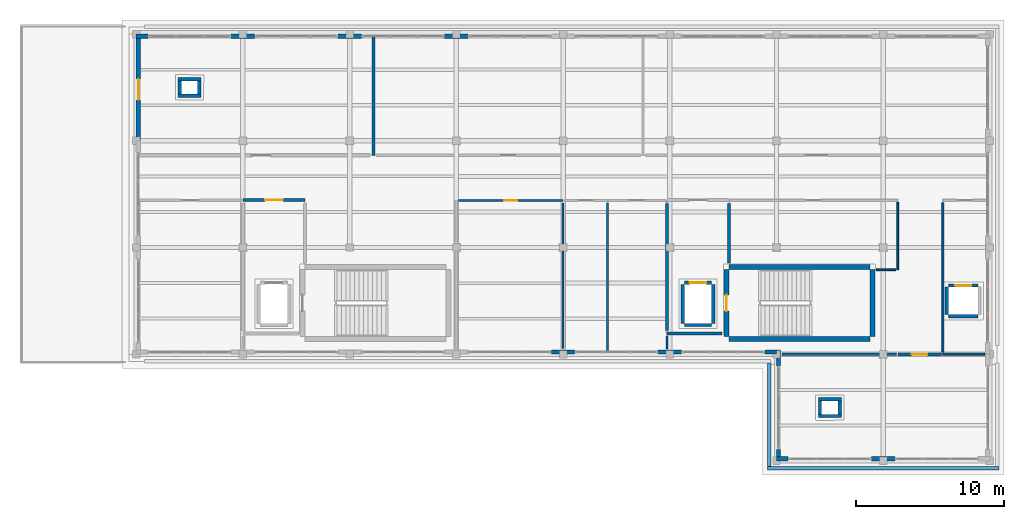
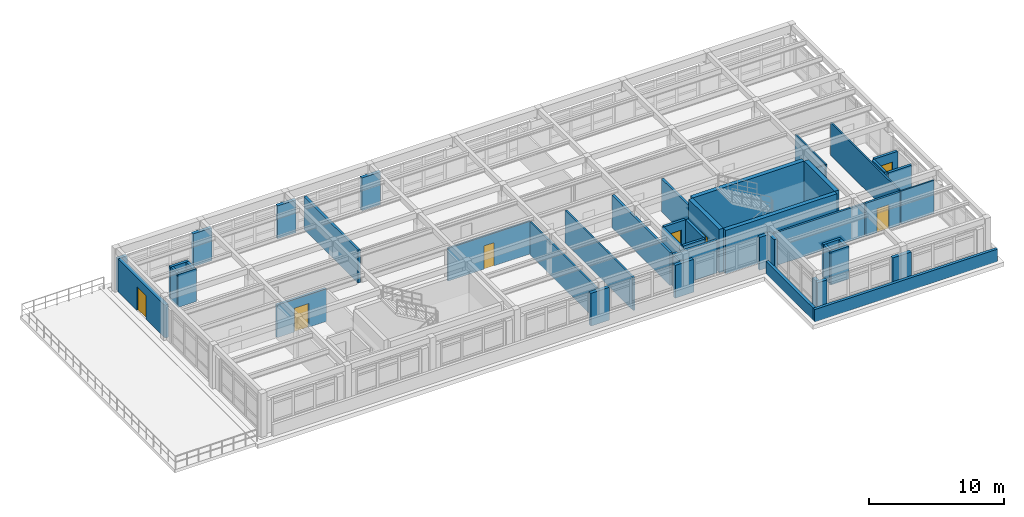
# One storey, part 14 of 18: 48 walls, 7 doors, 7 openings.
"""IFC4 building model written with IfcOpenShell, lengths in metres."""

from ifc_helpers import new_model, si_unit, direction, frame, frame_2d, origin, place, context, subcontext, project, spatial, rectangle, extrude, material, layer, layer_set, type_object, element, fill, save


model = new_model("IFC4")

# Units and contexts
model_context = context("Model", 3, precision=1e-05, world=origin(), true_north=direction((0.0, 1.0)))
body_context = subcontext(model_context, "Body", "Model", "MODEL_VIEW")
ifc_project = project(units=[si_unit("LENGTHUNIT", "METRE"), si_unit("AREAUNIT", "SQUARE_METRE"), si_unit("VOLUMEUNIT", "CUBIC_METRE"), si_unit("PLANEANGLEUNIT", "RADIAN"), si_unit("MASSUNIT", "GRAM", prefix="KILO")], contexts=[model_context])

# Site, building, storey
site_placement = place(None, origin())
site = spatial("IfcSite", under=ifc_project, at=site_placement, CompositionType="ELEMENT")
building_placement = place(site_placement, origin())
building = spatial("IfcBuilding", under=site, at=building_placement, Name="Solenvale Faculty of Natural Sciences", CompositionType="ELEMENT")
storey_placement = place(building_placement, frame((0.0, 0.0, 39.60009765625)))
storey = spatial("IfcBuildingStorey", under=building, at=storey_placement, Name="L09", CompositionType="ELEMENT", Elevation=39.60009765625)

# Walls
ifc_material_1 = material(Name="Precast concrete 40 MPa", Category="concrete")
ifc_layer_1 = layer(ifc_material_1, 0.284912109375)
ifc_layer_set_1 = layer_set([ifc_layer_1], Name="Precast concrete 40 MPa")
wall_type_1 = type_object("IfcWallType", Name="WL-EXT-PRC-285", PredefinedType="STANDARD", material=ifc_layer_set_1)
wall_1_placement = place(storey_placement, frame((115.988037109375, 115.0576171875, 0.0), z_axis=(0.0, 0.0, 1.0), x_axis=(-1.0, 0.0, 0.0)))
element("IfcWall", 1, at=wall_1_placement, inside=storey, type_object=wall_type_1, Name="L09 Facade Closure Pier 2.B5-R", PredefinedType="STANDARD", context=body_context, shape_type="SweptSolid", body=[
    extrude(rectangle(XDim=1.575927734375, YDim=0.284912109375, at=frame_2d((0.7880859375, 0.0))), origin(), (0.0, 0.0, 1.0), 2.9599609375),
])
wall_2_placement = place(storey_placement, frame((108.7880859375, 115.0576171875, 0.0), z_axis=(0.0, 0.0, 1.0), x_axis=(-1.0, 0.0, 0.0)))
element("IfcWall", 2, at=wall_2_placement, inside=storey, type_object=wall_type_1, Name="L09 Facade Closure Pier 2.B6-R", PredefinedType="STANDARD", context=body_context, shape_type="SweptSolid", body=[
    extrude(rectangle(XDim=1.576171875, YDim=0.284912109375, at=frame_2d((0.7880859375, 0.0))), origin(), (0.0, 0.0, 1.0), 2.9599609375),
])
wall_3_placement = place(storey_placement, frame((101.587890625, 115.0576171875, 0.0), z_axis=(0.0, 0.0, 1.0), x_axis=(-1.0, 0.0, 0.0)))
element("IfcWall", 3, at=wall_3_placement, inside=storey, type_object=wall_type_1, Name="L09 Facade Closure Pier 2.B7-R", PredefinedType="STANDARD", context=body_context, shape_type="SweptSolid", body=[
    extrude(rectangle(XDim=1.575927734375, YDim=0.284912109375, at=frame_2d((0.7880859375, 0.0))), origin(), (0.0, 0.0, 1.0), 2.9599609375),
])
wall_4_placement = place(storey_placement, frame((94.387939453125, 115.0576171875, 0.0), z_axis=(0.0, 0.0, 1.0), x_axis=(-1.0, 0.0, 0.0)))
element("IfcWall", 4, at=wall_4_placement, inside=storey, type_object=wall_type_1, Name="L09 Facade Closure Pier 2.B8-R", PredefinedType="STANDARD", context=body_context, shape_type="SweptSolid", body=[
    extrude(rectangle(XDim=0.787841796875, YDim=0.284912109375, at=frame_2d((0.39404296875, 0.0))), origin(), (0.0, 0.0, 1.0), 2.9599609375),
])
for number, where, z_axis, x_axis, name in (
    (5, (121.612060546875, 93.742431640625, 0.0), (0.0, 0.0, 1.0), (1.0, 0.0, 0.0), "L09 Facade Closure Pier 4.B4-R"),
    (6, (128.81201171875, 93.742431640625, 0.0), (0.0, 0.0, 1.0), (1.0, 0.0, 0.0), "L09 Facade Closure Pier 4.B5-R"),
):
    element("IfcWall", number, at=place(storey_placement, frame(where, z_axis=z_axis, x_axis=x_axis)), inside=storey, type_object=wall_type_1, Name=name, PredefinedType="STANDARD", context=body_context, shape_type="SweptSolid", body=[
        extrude(rectangle(XDim=1.575927734375, YDim=0.284912109375, at=frame_2d((0.7880859375, 0.0))), origin(), (0.0, 0.0, 1.0), 2.9599609375),
    ])
wall_5_placement = place(storey_placement, frame((136.011962890625, 93.742431640625, 0.0), z_axis=(0.0, 0.0, 1.0), x_axis=(1.0, 0.0, 0.0)))
element("IfcWall", 7, at=wall_5_placement, inside=storey, type_object=wall_type_1, Name="L09 Facade Closure Pier 4.B6-R", PredefinedType="STANDARD", context=body_context, shape_type="SweptSolid", body=[
    extrude(rectangle(XDim=0.7880859375, YDim=0.284912109375, at=frame_2d((0.39404296875, 0.0))), origin(), (0.0, 0.0, 1.0), 2.9599609375),
])
wall_6_placement = place(storey_placement, frame((136.9423828125, 93.885009765625, 0.0), z_axis=(0.0, 0.0, 1.0), x_axis=(0.0, -1.0, 0.0)))
element("IfcWall", 8, at=wall_6_placement, inside=storey, type_object=wall_type_1, Name="L09 Facade Closure Pier 5.B1-L", PredefinedType="STANDARD", context=body_context, shape_type="SweptSolid", body=[
    extrude(rectangle(XDim=1.072998046875, YDim=0.284912109375, at=frame_2d((0.53662109375, 0.0))), origin(), (0.0, 0.0, 1.0), 2.9599609375),
])
wall_7_placement = place(storey_placement, frame((136.9423828125, 87.18798828125, 0.0), z_axis=(0.0, 0.0, 1.0), x_axis=(0.0, -1.0, 0.0)))
element("IfcWall", 9, at=wall_7_placement, inside=storey, type_object=wall_type_1, Name="L09 Facade Closure Pier 5.B1-R", PredefinedType="STANDARD", context=body_context, shape_type="SweptSolid", body=[
    extrude(rectangle(XDim=0.5029296875, YDim=0.284912109375, at=frame_2d((0.25146484375, 0.0))), origin(), (0.0, 0.0, 1.0), 2.9599609375),
])
wall_8_placement = place(storey_placement, frame((136.800048828125, 86.54248046875, 0.0), z_axis=(0.0, 0.0, 1.0), x_axis=(1.0, 0.0, 0.0)))
element("IfcWall", 10, at=wall_8_placement, inside=storey, type_object=wall_type_1, Name="L09 Facade Closure Pier 6.B1-L", PredefinedType="STANDARD", context=body_context, shape_type="SweptSolid", body=[
    extrude(rectangle(XDim=0.787841796875, YDim=0.284912109375, at=frame_2d((0.39404296875, 0.0))), origin(), (0.0, 0.0, 1.0), 2.9599609375),
])
wall_9_placement = place(storey_placement, frame((143.2119140625, 86.54248046875, 0.0), z_axis=(0.0, 0.0, 1.0), x_axis=(1.0, 0.0, 0.0)))
element("IfcWall", 11, at=wall_9_placement, inside=storey, type_object=wall_type_1, Name="L09 Facade Closure Pier 6.B1-R", PredefinedType="STANDARD", context=body_context, shape_type="SweptSolid", body=[
    extrude(rectangle(XDim=1.576171875, YDim=0.284912109375, at=frame_2d((0.7880859375, 0.0))), origin(), (0.0, 0.0, 1.0), 2.9599609375),
])

# Wall, opening, door
ifc_layer_2 = layer(ifc_material_1, 0.304931640625)
ifc_layer_set_2 = layer_set([ifc_layer_2], Name="Precast concrete 40 MPa")
wall_type_2 = type_object("IfcWallType", Name="WL-EXT-PRC-305", PredefinedType="STANDARD", material=ifc_layer_set_2)
wall_10_placement = place(storey_placement, frame((93.75244140625, 108.0, 0.0), z_axis=(0.0, 0.0, 1.0), x_axis=(0.0, 1.0, 0.0)))
wall_10 = element("IfcWall", 12, at=wall_10_placement, inside=storey, type_object=wall_type_2, Name="L09 Exterior Wall 3.1", PredefinedType="STANDARD", context=body_context, shape_type="SweptSolid", body=[
    extrude(rectangle(XDim=6.9150390625, YDim=0.304931640625, at=frame_2d((3.45751953125, 0.0))), origin(), (0.0, 0.0, 1.0), 2.9599609375),
])
opening_1_placement = place(wall_10_placement, frame((2.758056640625, 0.0, 0.0)))
opening_1 = element("IfcOpeningElement", 13, at=opening_1_placement, cuts=wall_10, Name="Opening TD-47", PredefinedType="OPENING", context=body_context, shape_type="SweptSolid", body=[
    extrude(rectangle(XDim=1.39990234375, YDim=2.14990234375, at=frame_2d((0.699951171875, 1.074951171875))), frame((0.0, 0.162353515625, 0.0), z_axis=(0.0, -1.0, 0.0), x_axis=(1.0, 0.0, 0.0)), (0.0, 0.0, 1.0), 0.324951171875),
])
ifc_material_2 = material(Name="Anodised bronze aluminium", Category="aluminium")
door_type_1 = type_object("IfcDoorType", Name="DR-TER-1400x2150", OperationType="NOTDEFINED", PredefinedType="DOOR", material=ifc_material_2)
door_1_placement = place(opening_1_placement, origin())
door_1 = element("IfcDoor", 14, at=door_1_placement, inside=storey, type_object=door_type_1, Name="L09 Exterior Terrace Door TD-47", OperationType="DOUBLE_DOOR_SINGLE_SWING", OverallHeight=2.14990234375, OverallWidth=1.39990234375, PredefinedType="DOOR", context=body_context, shape_type="SweptSolid", body=[
    extrude(rectangle(XDim=1.39990234375, YDim=2.14990234375, at=frame_2d((0.699951171875, 1.074951171875))), frame((0.0, 0.02490234375, 0.0), z_axis=(0.0, -1.0, 0.0), x_axis=(1.0, 0.0, 0.0)), (0.0, 0.0, 1.0), 0.050048828125),
])
fill(opening_1, door_1)

ifc_material_3 = material(Name="Gypsum fire-rated shaftwall")
ifc_layer_3 = layer(ifc_material_3, 0.205078125)
ifc_layer_set_3 = layer_set([ifc_layer_3], Name="Gypsum fire-rated shaftwall")
wall_type_3 = type_object("IfcWallType", Name="WL-FFL-205", PredefinedType="PARTITIONING", material=ifc_layer_set_3)
wall_11_placement = place(storey_placement, frame((100.800048828125, 104.0, 0.0), z_axis=(0.0, 0.0, 1.0), x_axis=(1.0, 0.0, 0.0)))
wall_11 = element("IfcWall", 15, at=wall_11_placement, inside=storey, type_object=wall_type_3, Name="L09 Firefighting Lobby C4 Partition 1", PredefinedType="PARTITIONING", context=body_context, shape_type="SweptSolid", body=[
    extrude(rectangle(XDim=4.199951171875, YDim=0.205078125, at=frame_2d((2.10009765625, 0.0))), origin(), (0.0, 0.0, 1.0), 2.9599609375),
])
opening_2_placement = place(wall_11_placement, frame((1.5, 0.0, 0.0)))
opening_2 = element("IfcOpeningElement", 16, at=opening_2_placement, cuts=wall_11, Name="Opening D-L09-01", PredefinedType="OPENING", context=body_context, shape_type="SweptSolid", body=[
    extrude(rectangle(XDim=1.199951171875, YDim=2.14990234375, at=frame_2d((0.60009765625, 1.074951171875))), frame((0.0, 0.112548828125, 0.0), z_axis=(0.0, -1.0, 0.0), x_axis=(1.0, 0.0, 0.0)), (0.0, 0.0, 1.0), 0.22509765625),
])
ifc_material_4 = material(Name="Galvanised steel S355", Category="steel")
door_type_2 = type_object("IfcDoorType", Name="DR-FFL-1200x2150", OperationType="NOTDEFINED", PredefinedType="DOOR", material=ifc_material_4)
door_2_placement = place(opening_2_placement, origin())
door_2 = element("IfcDoor", 17, at=door_2_placement, inside=storey, type_object=door_type_2, Name="L09 Firefighting Lobby C4 Door", OperationType="SINGLE_SWING_RIGHT", OverallHeight=2.14990234375, OverallWidth=1.199951171875, PredefinedType="DOOR", context=body_context, shape_type="SweptSolid", body=[
    extrude(rectangle(XDim=1.199951171875, YDim=2.14990234375, at=frame_2d((0.60009765625, 1.074951171875))), frame((0.0, 0.02490234375, 0.0), z_axis=(0.0, -1.0, 0.0), x_axis=(1.0, 0.0, 0.0)), (0.0, 0.0, 1.0), 0.050048828125),
])
fill(opening_2, door_2)

# Walls
wall_12_placement = place(storey_placement, frame((133.60009765625, 103.782958984375, 0.0), z_axis=(0.0, 0.0, 1.0), x_axis=(0.0, -1.0, 0.0)))
element("IfcWall", 18, at=wall_12_placement, inside=storey, type_object=wall_type_3, Name="L09 Firefighting Lobby C5 Partition 2", PredefinedType="PARTITIONING", context=body_context, shape_type="SweptSolid", body=[
    extrude(rectangle(XDim=4.01904296875, YDim=0.205078125, at=frame_2d((2.009521484375, 0.0))), origin(), (0.0, 0.0, 1.0), 2.9599609375),
])
wall_13_placement = place(storey_placement, frame((133.135986328125, 95.0, 0.0), z_axis=(0.0, 0.0, 1.0), x_axis=(-1.0, 0.0, 0.0)))
element("IfcWall", 19, at=wall_13_placement, inside=storey, type_object=wall_type_3, Name="L09 Firefighting Lobby C5 Partition 20", PredefinedType="PARTITIONING", context=body_context, shape_type="SweptSolid", body=[
    extrude(rectangle(XDim=3.736083984375, YDim=0.205078125, at=frame_2d((1.8681640625, 0.0))), origin(), (0.0, 0.0, 1.0), 2.9599609375),
])
wall_14_placement = place(storey_placement, frame((129.39990234375, 95.217041015625, 0.0), z_axis=(0.0, 0.0, 1.0), x_axis=(0.0, 1.0, 0.0)))
element("IfcWall", 20, at=wall_14_placement, inside=storey, type_object=wall_type_3, Name="L09 Firefighting Lobby C5 Partition 21", PredefinedType="PARTITIONING", context=body_context, shape_type="SweptSolid", body=[
    extrude(rectangle(XDim=8.56591796875, YDim=0.205078125, at=frame_2d((4.282958984375, 0.0))), origin(), (0.0, 0.0, 1.0), 2.9599609375),
])
ifc_material_5 = material(Name="Gypsum fire-rated laboratory partition")
ifc_layer_4 = layer(ifc_material_5, 0.2119140625)
ifc_layer_set_4 = layer_set([ifc_layer_4], Name="Gypsum fire-rated laboratory partition")
wall_type_4 = type_object("IfcWallType", Name="WL-LAB-212", PredefinedType="PARTITIONING", material=ifc_layer_set_4)
wall_15_placement = place(storey_placement, frame((109.60009765625, 115.01708984375, 0.0), z_axis=(0.0, 0.0, 1.0), x_axis=(0.0, -1.0, 0.0)))
element("IfcWall", 21, at=wall_15_placement, inside=storey, type_object=wall_type_4, Name="L09 Biophysics and Neurobiology Research Laboratory Partition 3", PredefinedType="PARTITIONING", context=body_context, shape_type="SweptSolid", body=[
    extrude(rectangle(XDim=7.9970703125, YDim=0.2119140625, at=frame_2d((3.99853515625, 0.0))), origin(), (0.0, 0.0, 1.0), 2.9599609375),
])
ifc_material_6 = material(Name="Acoustic stud gypsum partition")
ifc_layer_5 = layer(ifc_material_6, 0.125)
ifc_layer_set_5 = layer_set([ifc_layer_5], Name="Acoustic stud gypsum partition")
wall_type_5 = type_object("IfcWallType", Name="WL-OFF-125", PredefinedType="PARTITIONING", material=ifc_layer_set_5)
wall_16_placement = place(storey_placement, frame((144.97998046875, 103.843017578125, 0.0), z_axis=(0.0, 0.0, 1.0), x_axis=(0.0, -1.0, 0.0)))
element("IfcWall", 22, at=wall_16_placement, inside=storey, type_object=wall_type_5, Name="L09 Building Electrical and Telecom Closet Partition 19", PredefinedType="PARTITIONING", context=body_context, shape_type="SweptSolid", body=[
    extrude(rectangle(XDim=4.54296875, YDim=0.125, at=frame_2d((2.271484375, 0.0))), origin(), (0.0, 0.0, 1.0), 2.9599609375),
])
wall_17_placement = place(storey_placement, frame((144.843017578125, 99.300048828125, 0.0), z_axis=(0.0, 0.0, 1.0), x_axis=(-1.0, 0.0, 0.0)))
element("IfcWall", 23, at=wall_17_placement, inside=storey, type_object=wall_type_5, Name="L09 Building Electrical and Telecom Closet Partition 20", PredefinedType="PARTITIONING", context=body_context, shape_type="SweptSolid", body=[
    extrude(rectangle(XDim=1.318115234375, YDim=0.125, at=frame_2d((0.6591796875, 0.0))), origin(), (0.0, 0.0, 1.0), 2.9599609375),
])
ifc_layer_6 = layer(ifc_material_6, 0.132080078125)
ifc_layer_set_6 = layer_set([ifc_layer_6], Name="Acoustic stud gypsum partition")
wall_type_6 = type_object("IfcWallType", Name="WL-OFF-132", PredefinedType="PARTITIONING", material=ifc_layer_set_6)
wall_18_placement = place(storey_placement, frame((150.8369140625, 93.60009765625, 0.0), z_axis=(0.0, 0.0, 1.0), x_axis=(-1.0, 0.0, 0.0)))
element("IfcWall", 24, at=wall_18_placement, inside=storey, type_object=wall_type_6, Name="L09 Elevator Lobby Partition 3", PredefinedType="PARTITIONING", context=body_context, shape_type="SweptSolid", body=[
    extrude(rectangle(XDim=2.81689453125, YDim=0.132080078125, at=frame_2d((1.408447265625, 0.0))), origin(), (0.0, 0.0, 1.0), 2.9599609375),
])
wall_19_placement = place(storey_placement, frame((148.02001953125, 93.743896484375, 0.0), z_axis=(0.0, 0.0, 1.0), x_axis=(0.0, 1.0, 0.0)))
element("IfcWall", 25, at=wall_19_placement, inside=storey, type_object=wall_type_6, Name="L09 Elevator Lobby Partition 4", PredefinedType="PARTITIONING", context=body_context, shape_type="SweptSolid", body=[
    extrude(rectangle(XDim=10.092041015625, YDim=0.132080078125, at=frame_2d((5.0458984375, 0.0))), origin(), (0.0, 0.0, 1.0), 2.9599609375),
])
ifc_layer_7 = layer(ifc_material_6, 0.139892578125)
ifc_layer_set_7 = layer_set([ifc_layer_7], Name="Acoustic stud gypsum partition")
wall_type_7 = type_object("IfcWallType", Name="WL-OFF-140", PredefinedType="PARTITIONING", material=ifc_layer_set_7)
wall_20_placement = place(storey_placement, frame((129.39990234375, 94.81591796875, 0.0), z_axis=(0.0, 0.0, 1.0), x_axis=(0.0, -1.0, 0.0)))
element("IfcWall", 26, at=wall_20_placement, inside=storey, type_object=wall_type_7, Name="L09 Analytical Balance Room Partition 20", PredefinedType="PARTITIONING", context=body_context, shape_type="SweptSolid", body=[
    extrude(rectangle(XDim=0.848876953125, YDim=0.139892578125, at=frame_2d((0.42431640625, 0.0))), origin(), (0.0, 0.0, 1.0), 2.9599609375),
])
ifc_material_7 = material(Name="Architectural bronze concrete 40 MPa", Category="concrete")
ifc_layer_8 = layer(ifc_material_7, 0.239990234375)
ifc_layer_set_8 = layer_set([ifc_layer_8], Name="Architectural bronze concrete 40 MPa")
wall_type_8 = type_object("IfcWallType", Name="WL-PAR-BRZ-240", PredefinedType="PARAPET", material=ifc_layer_set_8)
wall_21_placement = place(storey_placement, frame((151.800048828125, 85.919921875, 0.0), z_axis=(0.0, 0.0, 1.0), x_axis=(-1.0, 0.0, 0.0)))
element("IfcWall", 27, at=wall_21_placement, inside=storey, type_object=wall_type_8, Name="L09 Tower Horizontal Concrete Band 5", PredefinedType="PARAPET", context=body_context, shape_type="SweptSolid", body=[
    extrude(rectangle(XDim=15.60009765625, YDim=0.239990234375, at=frame_2d((7.800048828125, 0.0))), origin(), (0.0, 0.0, 1.0), 1.119873046875),
])
wall_22_placement = place(storey_placement, frame((136.320068359375, 86.0400390625, 0.0), z_axis=(0.0, 0.0, 1.0), x_axis=(0.0, 1.0, 0.0)))
element("IfcWall", 28, at=wall_22_placement, inside=storey, type_object=wall_type_8, Name="L09 Tower Horizontal Concrete Band 6", PredefinedType="PARAPET", context=body_context, shape_type="SweptSolid", body=[
    extrude(rectangle(XDim=6.9599609375, YDim=0.239990234375, at=frame_2d((3.47998046875, 0.0))), origin(), (0.0, 0.0, 1.0), 1.119873046875),
])

# Wall, opening, door
ifc_material_8 = material(Name="Acoustic double-stud gypsum partition")
ifc_layer_9 = layer(ifc_material_8, 0.179931640625)
ifc_layer_set_9 = layer_set([ifc_layer_9], Name="Acoustic double-stud gypsum partition")
wall_type_9 = type_object("IfcWallType", Name="WL-SEM-180", PredefinedType="PARTITIONING", material=ifc_layer_set_9)
wall_23_placement = place(storey_placement, frame((145.0, 93.580078125, 0.0), z_axis=(0.0, 0.0, 1.0), x_axis=(1.0, 0.0, 0.0)))
wall_23 = element("IfcWall", 29, at=wall_23_placement, inside=storey, type_object=wall_type_9, Name="L09 Seminar Room Partition 16", PredefinedType="PARTITIONING", context=body_context, shape_type="SweptSolid", body=[
    extrude(rectangle(XDim=2.91796875, YDim=0.179931640625, at=frame_2d((1.458984375, 0.0))), origin(), (0.0, 0.0, 1.0), 2.9599609375),
])
opening_3_placement = place(wall_23_placement, frame((0.93408203125, 0.0, 0.0)))
opening_3 = element("IfcOpeningElement", 30, at=opening_3_placement, cuts=wall_23, Name="Opening D-L09-12", PredefinedType="OPENING", context=body_context, shape_type="SweptSolid", body=[
    extrude(rectangle(XDim=1.050048828125, YDim=2.14990234375, at=frame_2d((0.52490234375, 1.074951171875))), frame((0.0, 0.099853515625, 0.0), z_axis=(0.0, -1.0, 0.0), x_axis=(1.0, 0.0, 0.0)), (0.0, 0.0, 1.0), 0.199951171875),
])
ifc_material_9 = material(Name="Oak acoustic timber leaf", Category="wood")
door_type_3 = type_object("IfcDoorType", Name="DR-SEM-1050x2150", OperationType="NOTDEFINED", PredefinedType="DOOR", material=ifc_material_9)
door_3_placement = place(opening_3_placement, origin())
door_3 = element("IfcDoor", 31, at=door_3_placement, inside=storey, type_object=door_type_3, Name="L09 Seminar Room Door", OperationType="SINGLE_SWING_LEFT", OverallHeight=2.14990234375, OverallWidth=1.050048828125, PredefinedType="DOOR", context=body_context, shape_type="SweptSolid", body=[
    extrude(rectangle(XDim=1.050048828125, YDim=2.14990234375, at=frame_2d((0.52490234375, 1.074951171875))), frame((0.0, 0.02490234375, 0.0), z_axis=(0.0, -1.0, 0.0), x_axis=(1.0, 0.0, 0.0)), (0.0, 0.0, 1.0), 0.050048828125),
])
fill(opening_3, door_3)

# Walls
wall_24_placement = place(storey_placement, frame((137.18701171875, 93.60009765625, 0.0), z_axis=(0.0, 0.0, 1.0), x_axis=(1.0, 0.0, 0.0)))
element("IfcWall", 32, at=wall_24_placement, inside=storey, type_object=wall_type_9, Name="L09 Seminar Room Partition 33", PredefinedType="PARTITIONING", context=body_context, shape_type="SweptSolid", body=[
    extrude(rectangle(XDim=7.7109375, YDim=0.179931640625, at=frame_2d((3.85546875, 0.0))), origin(), (0.0, 0.0, 1.0), 2.9599609375),
])
ifc_material_10 = material(Name="Concrete 40 MPa", Category="concrete")
ifc_layer_10 = layer(ifc_material_10, 0.219970703125)
ifc_layer_set_10 = layer_set([ifc_layer_10], Name="Concrete 40 MPa")
wall_type_10 = type_object("IfcWallType", Name="WL-SHF-220", PredefinedType="STANDARD", material=ifc_layer_set_10)
wall_25_placement = place(storey_placement, frame((130.580078125, 95.570068359375, 0.0), z_axis=(0.0, 0.0, 1.0), x_axis=(1.0, 0.0, 0.0)))
element("IfcWall", 33, at=wall_25_placement, inside=storey, type_object=wall_type_10, Name="Elevator LF-02 L09 Shaft Wall S", PredefinedType="STANDARD", context=body_context, shape_type="SweptSolid", body=[
    extrude(rectangle(XDim=1.83984375, YDim=0.219970703125, at=frame_2d((0.919921875, 0.0))), origin(), (0.0, 0.0, 1.0), 2.9599609375),
])

# Wall, opening, door
wall_26_placement = place(storey_placement, frame((130.580078125, 98.429931640625, 0.0), z_axis=(0.0, 0.0, 1.0), x_axis=(1.0, 0.0, 0.0)))
wall_26 = element("IfcWall", 34, at=wall_26_placement, inside=storey, type_object=wall_type_10, Name="Elevator LF-02 L09 Shaft Wall N", PredefinedType="STANDARD", context=body_context, shape_type="SweptSolid", body=[
    extrude(rectangle(XDim=1.83984375, YDim=0.219970703125, at=frame_2d((0.919921875, 0.0))), origin(), (0.0, 0.0, 1.0), 2.9599609375),
])
opening_4_placement = place(wall_26_placement, frame((0.3701171875, 0.0, 0.0)))
opening_4 = element("IfcOpeningElement", 35, at=opening_4_placement, cuts=wall_26, Name="Opening LD-LF-02-L09", PredefinedType="OPENING", context=body_context, shape_type="SweptSolid", body=[
    extrude(rectangle(XDim=1.10009765625, YDim=2.14990234375, at=frame_2d((0.550048828125, 1.074951171875))), frame((0.0, 0.119873046875, 0.0), z_axis=(0.0, -1.0, 0.0), x_axis=(1.0, 0.0, 0.0)), (0.0, 0.0, 1.0), 0.239990234375),
])
ifc_material_11 = material(Name="Stainless steel Grade 304", Category="steel")
door_type_4 = type_object("IfcDoorType", Name="DR-LIFT-1100x2150", OperationType="NOTDEFINED", PredefinedType="DOOR", material=ifc_material_11)
door_4_placement = place(opening_4_placement, origin())
door_4 = element("IfcDoor", 36, at=door_4_placement, inside=storey, type_object=door_type_4, Name="Elevator LF-02 L09 Sliding Landing Door", OperationType="SLIDING_TO_RIGHT", OverallHeight=2.14990234375, OverallWidth=1.10009765625, PredefinedType="DOOR", context=body_context, shape_type="SweptSolid", body=[
    extrude(rectangle(XDim=1.10009765625, YDim=2.14990234375, at=frame_2d((0.550048828125, 1.074951171875))), frame((0.0, 0.02490234375, 0.0), z_axis=(0.0, -1.0, 0.0), x_axis=(1.0, 0.0, 0.0)), (0.0, 0.0, 1.0), 0.050048828125),
])
fill(opening_4, door_4)

# Walls
for number, where, z_axis, x_axis, name in (
    (37, (130.469970703125, 95.679931640625, 0.0), (0.0, 0.0, 1.0), (0.0, 1.0, 0.0), "Elevator LF-02 L09 Shaft Wall W"),
    (38, (132.530029296875, 95.679931640625, 0.0), (0.0, 0.0, 1.0), (0.0, 1.0, 0.0), "Elevator LF-02 L09 Shaft Wall E"),
):
    element("IfcWall", number, at=place(storey_placement, frame(where, z_axis=z_axis, x_axis=x_axis)), inside=storey, type_object=wall_type_10, Name=name, PredefinedType="STANDARD", context=body_context, shape_type="SweptSolid", body=[
        extrude(rectangle(XDim=2.64013671875, YDim=0.219970703125, at=frame_2d((1.320068359375, 0.0))), origin(), (0.0, 0.0, 1.0), 2.9599609375),
    ])
wall_27_placement = place(storey_placement, frame((148.405029296875, 96.169921875, 0.0), z_axis=(0.0, 0.0, 1.0), x_axis=(1.0, 0.0, 0.0)))
element("IfcWall", 39, at=wall_27_placement, inside=storey, type_object=wall_type_10, Name="Elevator LP-03 L09 Shaft Wall S", PredefinedType="STANDARD", context=body_context, shape_type="SweptSolid", body=[
    extrude(rectangle(XDim=1.989990234375, YDim=0.219970703125, at=frame_2d((0.9951171875, 0.0))), origin(), (0.0, 0.0, 1.0), 2.9599609375),
])

# Wall, opening, door
wall_28_placement = place(storey_placement, frame((148.405029296875, 98.22998046875, 0.0), z_axis=(0.0, 0.0, 1.0), x_axis=(1.0, 0.0, 0.0)))
wall_28 = element("IfcWall", 40, at=wall_28_placement, inside=storey, type_object=wall_type_10, Name="Elevator LP-03 L09 Shaft Wall N", PredefinedType="STANDARD", context=body_context, shape_type="SweptSolid", body=[
    extrude(rectangle(XDim=1.989990234375, YDim=0.219970703125, at=frame_2d((0.9951171875, 0.0))), origin(), (0.0, 0.0, 1.0), 2.9599609375),
])
opening_5_placement = place(wall_28_placement, frame((0.445068359375, 0.0, 0.0)))
opening_5 = element("IfcOpeningElement", 41, at=opening_5_placement, cuts=wall_28, Name="Opening LD-LP-03-L09", PredefinedType="OPENING", context=body_context, shape_type="SweptSolid", body=[
    extrude(rectangle(XDim=1.10009765625, YDim=2.14990234375, at=frame_2d((0.550048828125, 1.074951171875))), frame((0.0, 0.119873046875, 0.0), z_axis=(0.0, -1.0, 0.0), x_axis=(1.0, 0.0, 0.0)), (0.0, 0.0, 1.0), 0.239990234375),
])
door_5_placement = place(opening_5_placement, origin())
door_5 = element("IfcDoor", 42, at=door_5_placement, inside=storey, type_object=door_type_4, Name="Elevator LP-03 L09 Sliding Landing Door", OperationType="SLIDING_TO_RIGHT", OverallHeight=2.14990234375, OverallWidth=1.10009765625, PredefinedType="DOOR", context=body_context, shape_type="SweptSolid", body=[
    extrude(rectangle(XDim=1.10009765625, YDim=2.14990234375, at=frame_2d((0.550048828125, 1.074951171875))), frame((0.0, 0.02490234375, 0.0), z_axis=(0.0, -1.0, 0.0), x_axis=(1.0, 0.0, 0.0)), (0.0, 0.0, 1.0), 0.050048828125),
])
fill(opening_5, door_5)

# Walls
wall_29_placement = place(storey_placement, frame((148.294921875, 96.280029296875, 0.0), z_axis=(0.0, 0.0, 1.0), x_axis=(0.0, 1.0, 0.0)))
element("IfcWall", 43, at=wall_29_placement, inside=storey, type_object=wall_type_10, Name="Elevator LP-03 L09 Shaft Wall W", PredefinedType="STANDARD", context=body_context, shape_type="SweptSolid", body=[
    extrude(rectangle(XDim=1.840087890625, YDim=0.219970703125, at=frame_2d((0.919921875, 0.0))), origin(), (0.0, 0.0, 1.0), 2.9599609375),
])
for number, where, z_axis, x_axis, name in (
    (44, (96.429931640625, 111.0400390625, 0.0), (0.0, 0.0, 1.0), (1.0, 0.0, 0.0), "L09 Service Riser Shaft 1 Wall S"),
    (45, (96.429931640625, 112.159912109375, 0.0), (0.0, 0.0, 1.0), (1.0, 0.0, 0.0), "L09 Service Riser Shaft 1 Wall N"),
):
    element("IfcWall", number, at=place(storey_placement, frame(where, z_axis=z_axis, x_axis=x_axis)), inside=storey, type_object=wall_type_10, Name=name, PredefinedType="STANDARD", context=body_context, shape_type="SweptSolid", body=[
        extrude(rectangle(XDim=1.5400390625, YDim=0.219970703125, at=frame_2d((0.77001953125, 0.0))), origin(), (0.0, 0.0, 1.0), 2.9599609375),
    ])
for number, where, z_axis, x_axis, name in (
    (46, (96.5400390625, 111.14990234375, 0.0), (0.0, 0.0, 1.0), (0.0, 1.0, 0.0), "L09 Service Riser Shaft 1 Wall W"),
    (47, (97.860107421875, 111.14990234375, 0.0), (0.0, 0.0, 1.0), (0.0, 1.0, 0.0), "L09 Service Riser Shaft 1 Wall E"),
):
    element("IfcWall", number, at=place(storey_placement, frame(where, z_axis=z_axis, x_axis=x_axis)), inside=storey, type_object=wall_type_10, Name=name, PredefinedType="STANDARD", context=body_context, shape_type="SweptSolid", body=[
        extrude(rectangle(XDim=0.900146484375, YDim=0.219970703125, at=frame_2d((0.4501953125, 0.0))), origin(), (0.0, 0.0, 1.0), 2.9599609375),
    ])
for number, where, z_axis, x_axis, name in (
    (48, (139.6298828125, 89.43994140625, 0.0), (0.0, 0.0, 1.0), (1.0, 0.0, 0.0), "L09 Service Riser Shaft 2 Wall S"),
    (49, (139.6298828125, 90.56005859375, 0.0), (0.0, 0.0, 1.0), (1.0, 0.0, 0.0), "L09 Service Riser Shaft 2 Wall N"),
):
    element("IfcWall", number, at=place(storey_placement, frame(where, z_axis=z_axis, x_axis=x_axis)), inside=storey, type_object=wall_type_10, Name=name, PredefinedType="STANDARD", context=body_context, shape_type="SweptSolid", body=[
        extrude(rectangle(XDim=1.5400390625, YDim=0.219970703125, at=frame_2d((0.77001953125, 0.0))), origin(), (0.0, 0.0, 1.0), 2.9599609375),
    ])
for number, where, z_axis, x_axis, name in (
    (50, (139.739990234375, 89.550048828125, 0.0), (0.0, 0.0, 1.0), (0.0, 1.0, 0.0), "L09 Service Riser Shaft 2 Wall W"),
    (51, (141.06005859375, 89.550048828125, 0.0), (0.0, 0.0, 1.0), (0.0, 1.0, 0.0), "L09 Service Riser Shaft 2 Wall E"),
):
    element("IfcWall", number, at=place(storey_placement, frame(where, z_axis=z_axis, x_axis=x_axis)), inside=storey, type_object=wall_type_10, Name=name, PredefinedType="STANDARD", context=body_context, shape_type="SweptSolid", body=[
        extrude(rectangle(XDim=0.89990234375, YDim=0.219970703125, at=frame_2d((0.449951171875, 0.0))), origin(), (0.0, 0.0, 1.0), 2.9599609375),
    ])
ifc_material_12 = material(Name="Concrete 50 MPa", Category="concrete")
ifc_layer_11 = layer(ifc_material_12, 0.35009765625)
ifc_layer_set_11 = layer_set([ifc_layer_11], Name="Concrete 50 MPa")
wall_type_11 = type_object("IfcWallType", Name="WL-SHR-350", PredefinedType="SHEAR", material=ifc_layer_set_11)
for number, where, z_axis, x_axis, name in (
    (52, (133.60009765625, 94.625, 0.0), (0.0, 0.0, 1.0), (1.0, 0.0, 0.0), "Core C5 L09 Shear Wall S"),
    (53, (133.60009765625, 99.47509765625, 0.0), (0.0, 0.0, 1.0), (1.0, 0.0, 0.0), "Core C5 L09 Shear Wall N"),
):
    element("IfcWall", number, at=place(storey_placement, frame(where, z_axis=z_axis, x_axis=x_axis)), inside=storey, type_object=wall_type_11, Name=name, PredefinedType="SHEAR", context=body_context, shape_type="SweptSolid", body=[
        extrude(rectangle(XDim=9.5, YDim=0.35009765625, at=frame_2d((4.75, 0.0))), origin(), (0.0, 0.0, 1.0), 3.919921875),
    ])

# Wall, opening, door
wall_30_placement = place(storey_placement, frame((133.425048828125, 94.800048828125, 0.0), z_axis=(0.0, 0.0, 1.0), x_axis=(0.0, 1.0, 0.0)))
wall_30 = element("IfcWall", 54, at=wall_30_placement, inside=storey, type_object=wall_type_11, Name="Core C5 L09 Shear Wall W", PredefinedType="SHEAR", context=body_context, shape_type="SweptSolid", body=[
    extrude(rectangle(XDim=4.5, YDim=0.35009765625, at=frame_2d((2.25, 0.0))), origin(), (0.0, 0.0, 1.0), 3.919921875),
])
opening_6_placement = place(wall_30_placement, frame((1.699951171875, 0.0, 0.0)))
opening_6 = element("IfcOpeningElement", 55, at=opening_6_placement, cuts=wall_30, Name="Opening DS-C5-L09", PredefinedType="OPENING", context=body_context, shape_type="SweptSolid", body=[
    extrude(rectangle(XDim=1.10009765625, YDim=2.14990234375, at=frame_2d((0.550048828125, 1.074951171875))), frame((0.0, 0.18505859375, 0.0), z_axis=(0.0, -1.0, 0.0), x_axis=(1.0, 0.0, 0.0)), (0.0, 0.0, 1.0), 0.3701171875),
])
door_type_5 = type_object("IfcDoorType", Name="DR-STAIR-1100x2150", OperationType="NOTDEFINED", PredefinedType="DOOR", material=ifc_material_4)
door_6_placement = place(opening_6_placement, origin())
door_6 = element("IfcDoor", 56, at=door_6_placement, inside=storey, type_object=door_type_5, Name="L09 Stair ST-05 Fire Door", OperationType="SINGLE_SWING_RIGHT", OverallHeight=2.14990234375, OverallWidth=1.10009765625, PredefinedType="DOOR", context=body_context, shape_type="SweptSolid", body=[
    extrude(rectangle(XDim=1.10009765625, YDim=2.14990234375, at=frame_2d((0.550048828125, 1.074951171875))), frame((0.0, 0.02490234375, 0.0), z_axis=(0.0, -1.0, 0.0), x_axis=(1.0, 0.0, 0.0)), (0.0, 0.0, 1.0), 0.050048828125),
])
fill(opening_6, door_6)

# Wall
wall_31_placement = place(storey_placement, frame((143.27490234375, 94.800048828125, 0.0), z_axis=(0.0, 0.0, 1.0), x_axis=(0.0, 1.0, 0.0)))
element("IfcWall", 57, at=wall_31_placement, inside=storey, type_object=wall_type_11, Name="Core C5 L09 Shear Wall E", PredefinedType="SHEAR", context=body_context, shape_type="SweptSolid", body=[
    extrude(rectangle(XDim=4.5, YDim=0.35009765625, at=frame_2d((2.25, 0.0))), origin(), (0.0, 0.0, 1.0), 3.919921875),
])

# Wall, opening, door
ifc_material_13 = material(Name="Moisture-resistant tile partition")
ifc_layer_12 = layer(ifc_material_13, 0.14990234375)
ifc_layer_set_12 = layer_set([ifc_layer_12], Name="Moisture-resistant tile partition")
wall_type_12 = type_object("IfcWallType", Name="WL-WC-150", PredefinedType="PARTITIONING", material=ifc_layer_set_12)
wall_32_placement = place(storey_placement, frame((115.362060546875, 103.97998046875, 0.0), z_axis=(0.0, 0.0, 1.0), x_axis=(1.0, 0.0, 0.0)))
wall_32 = element("IfcWall", 58, at=wall_32_placement, inside=storey, type_object=wall_type_12, Name="L09 Public Washroom Partition 2", PredefinedType="PARTITIONING", context=body_context, shape_type="SweptSolid", body=[
    extrude(rectangle(XDim=7.037841796875, YDim=0.14990234375, at=frame_2d((3.51904296875, 0.0))), origin(), (0.0, 0.0, 1.0), 2.9599609375),
])
opening_7_placement = place(wall_32_placement, frame((3.0791015625, 0.0, 0.0)))
opening_7 = element("IfcOpeningElement", 59, at=opening_7_placement, cuts=wall_32, Name="Opening D-L09-07", PredefinedType="OPENING", context=body_context, shape_type="SweptSolid", body=[
    extrude(rectangle(XDim=0.8798828125, YDim=2.10009765625, at=frame_2d((0.43994140625, 1.050048828125))), frame((0.0, 0.0849609375, 0.0), z_axis=(0.0, -1.0, 0.0), x_axis=(1.0, 0.0, 0.0)), (0.0, 0.0, 1.0), 0.169921875),
])
door_type_6 = type_object("IfcDoorType", Name="DR-WC-0880x2100", OperationType="NOTDEFINED", PredefinedType="DOOR", material=ifc_material_9)
door_7_placement = place(opening_7_placement, origin())
door_7 = element("IfcDoor", 60, at=door_7_placement, inside=storey, type_object=door_type_6, Name="L09 Public Washroom Door", OperationType="SINGLE_SWING_RIGHT", OverallHeight=2.10009765625, OverallWidth=0.8798828125, PredefinedType="DOOR", context=body_context, shape_type="SweptSolid", body=[
    extrude(rectangle(XDim=0.8798828125, YDim=2.10009765625, at=frame_2d((0.43994140625, 1.050048828125))), frame((0.0, 0.02490234375, 0.0), z_axis=(0.0, -1.0, 0.0), x_axis=(1.0, 0.0, 0.0)), (0.0, 0.0, 1.0), 0.050048828125),
])
fill(opening_7, door_7)

# Walls
wall_33_placement = place(storey_placement, frame((122.39990234375, 103.818115234375, 0.0), z_axis=(0.0, 0.0, 1.0), x_axis=(0.0, -1.0, 0.0)))
element("IfcWall", 61, at=wall_33_placement, inside=storey, type_object=wall_type_12, Name="L09 Public Washroom Partition 3", PredefinedType="PARTITIONING", context=body_context, shape_type="SweptSolid", body=[
    extrude(rectangle(XDim=9.84619140625, YDim=0.14990234375, at=frame_2d((4.923095703125, 0.0))), origin(), (0.0, 0.0, 1.0), 2.9599609375),
])
wall_34_placement = place(storey_placement, frame((125.39990234375, 103.818115234375, 0.0), z_axis=(0.0, 0.0, 1.0), x_axis=(0.0, -1.0, 0.0)))
element("IfcWall", 62, at=wall_34_placement, inside=storey, type_object=wall_type_12, Name="L09 Accessible Washroom Partition 3", PredefinedType="PARTITIONING", context=body_context, shape_type="SweptSolid", body=[
    extrude(rectangle(XDim=10.03515625, YDim=0.14990234375, at=frame_2d((5.017578125, 0.0))), origin(), (0.0, 0.0, 1.0), 2.9599609375),
])

save(model, "model.ifc")
